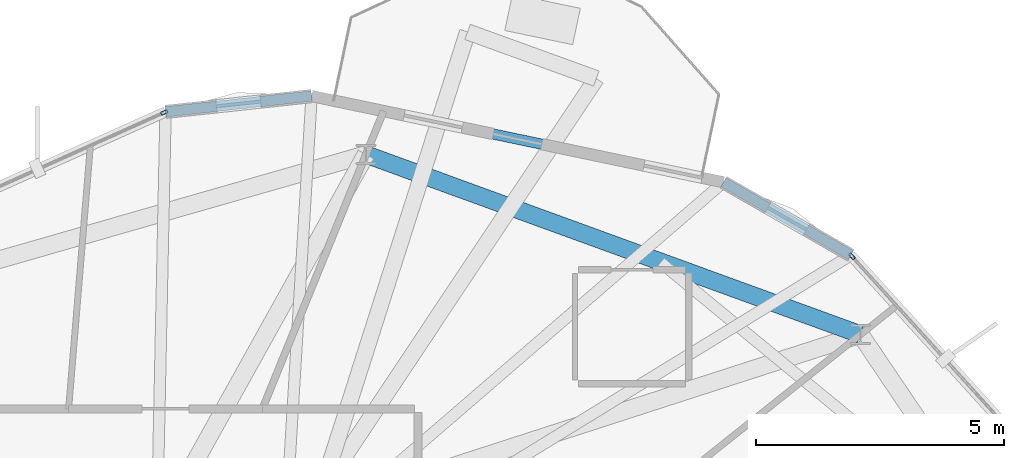
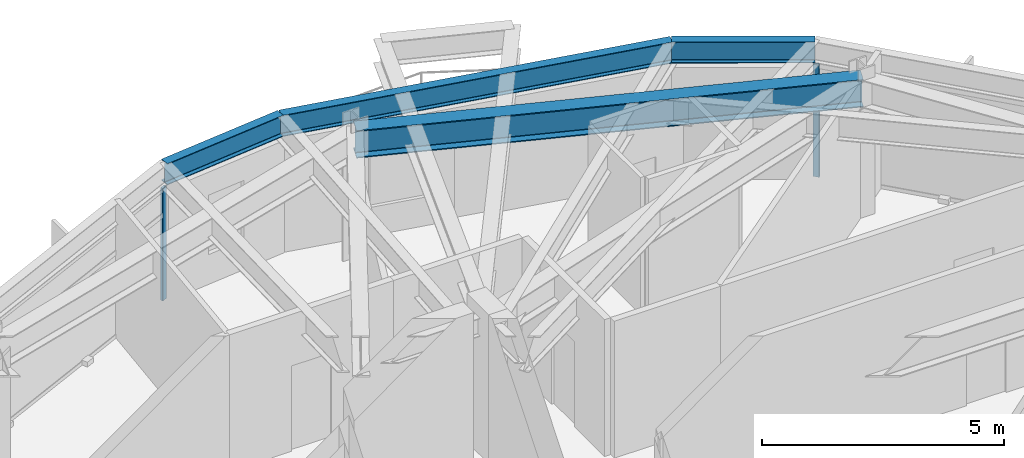
# One storey, part 15 of 23: 4 beams, 2 members, 2 elements without a shape of their own.
"""IFC4 building model written with IfcOpenShell, lengths in metres."""

from ifc_helpers import new_model, si_unit, direction, frame, origin, origin_2d, place, context, subcontext, project, spatial, hollow_rectangle, i_section, extrude, material, layer, layer_set, material_profile, profile_set, type_object, element, aggregate, save


model = new_model("IFC4")

# Units and contexts
model_context = context("Model", 3, precision=1e-05, world=origin(), true_north=direction((0.0, 1.0)))
body_context = subcontext(model_context, "Body", "Model", "MODEL_VIEW")
ifc_project = project(units=[si_unit("LENGTHUNIT", "METRE"), si_unit("AREAUNIT", "SQUARE_METRE"), si_unit("VOLUMEUNIT", "CUBIC_METRE"), si_unit("PLANEANGLEUNIT", "RADIAN"), si_unit("MASSUNIT", "GRAM", prefix="KILO")], contexts=[model_context])

# Site, building, storey
site_placement = place(None, origin())
site = spatial("IfcSite", under=ifc_project, at=site_placement, CompositionType="ELEMENT")
building_placement = place(site_placement, origin())
building = spatial("IfcBuilding", under=site, at=building_placement, Name="Soratama Intermodal Tower", CompositionType="ELEMENT")
storey_placement = place(building_placement, frame((0.0, 0.0, 253.75)))
storey = spatial("IfcBuildingStorey", under=building, at=storey_placement, Name="L64", CompositionType="ELEMENT", Elevation=253.75)

# Beams
ifc_material_1 = material(Name="Structural steel ASTM A992 Grade 50", Category="steel")
ifc_material_profile_1 = material_profile(ifc_material_1, i_section(OverallWidth=0.35498046875, OverallDepth=0.695068359375, WebThickness=0.015380859375, FlangeThickness=0.02490234375, FilletRadius=0.01611328125, at=origin_2d()), Name="W27X146")
ifc_profile_set_1 = profile_set([ifc_material_profile_1], Name="Structural steel ASTM A992 Grade 50")
beam_type_1 = type_object("IfcBeamType", Name="BM-RING-W27X146", PredefinedType="BEAM", material=ifc_profile_set_1)
beam_1_placement = place(storey_placement, frame((55.589111328125, 38.553955078125, 3.1025390625), z_axis=(-0.939684073866, 0.342043624883, 0.0), x_axis=(-0.342043624883, -0.939684073866, 0.0)))
element("IfcBeam", 1, at=beam_1_placement, inside=storey, type_object=beam_type_1, Name="BM-L64-RING-02", PredefinedType="BEAM", context=body_context, shape_type="SweptSolid", body=[
    extrude(i_section(OverallWidth=0.35498046875, OverallDepth=0.695068359375, WebThickness=0.015380859375, FlangeThickness=0.02490234375, FilletRadius=0.01611328125, at=origin_2d()), origin(), (0.0, 0.0, 1.0), 10.630126953125),
])
ifc_material_2 = material(Name="Structural steel ASTM A992 Grade 50", Category="steel")
ifc_material_profile_2 = material_profile(ifc_material_2, i_section(OverallWidth=0.2099609375, OverallDepth=0.537109375, WebThickness=0.010986328125, FlangeThickness=0.017333984375, FilletRadius=0.012939453125, at=origin_2d()), Name="W21X68")
ifc_profile_set_2 = profile_set([ifc_material_profile_2], Name="Structural steel ASTM A992 Grade 50")
beam_type_2 = type_object("IfcBeamType", Name="BM-SPN-W21X68", PredefinedType="SPANDREL", material=ifc_profile_set_2)
beam_2_placement = place(storey_placement, frame((52.822021484375, 41.6298828125, 3.181396484375), z_axis=(-0.978790491304, 0.204863794101, 0.0), x_axis=(-0.204863794101, -0.978790491304, 0.0)))
element("IfcBeam", 2, at=beam_2_placement, inside=storey, type_object=beam_type_2, Name="BS-L64-F01", PredefinedType="SPANDREL", context=body_context, shape_type="SweptSolid", body=[
    extrude(i_section(OverallWidth=0.2099609375, OverallDepth=0.537109375, WebThickness=0.010986328125, FlangeThickness=0.017333984375, FilletRadius=0.012939453125, at=origin_2d()), origin(), (0.0, 0.0, 1.0), 8.499267578125),
])
beam_3_placement = place(storey_placement, frame((44.5029296875, 43.37109375, 3.181396484375), z_axis=(-0.994200629663, -0.107541192003, 0.0), x_axis=(0.107541192003, -0.994200629663, 0.0)))
element("IfcBeam", 3, at=beam_3_placement, inside=storey, type_object=beam_type_2, Name="BS-L64-CRN01", PredefinedType="SPANDREL", context=body_context, shape_type="SweptSolid", body=[
    extrude(i_section(OverallWidth=0.2099609375, OverallDepth=0.537109375, WebThickness=0.010986328125, FlangeThickness=0.017333984375, FilletRadius=0.012939453125, at=origin_2d()), origin(), (0.0, 0.0, 1.0), 2.967041015625),
])
beam_4_placement = place(storey_placement, frame((55.39599609375, 40.155029296875, 3.181396484375), z_axis=(-0.86766013244, 0.497157816567, 0.0), x_axis=(-0.497157816567, -0.86766013244, 0.0)))
element("IfcBeam", 4, at=beam_4_placement, inside=storey, type_object=beam_type_2, Name="BS-L64-CRN10", PredefinedType="SPANDREL", context=body_context, shape_type="SweptSolid", body=[
    extrude(i_section(OverallWidth=0.2099609375, OverallDepth=0.537109375, WebThickness=0.010986328125, FlangeThickness=0.017333984375, FilletRadius=0.012939453125, at=origin_2d()), origin(), (0.0, 0.0, 1.0), 2.966552734375),
])

# Curtain wall, member
ifc_material_3 = material(Name="Double-glazed aluminium curtain wall", Category="aluminium")
ifc_layer = layer(ifc_material_3, 0.159912109375)
ifc_layer_set = layer_set([ifc_layer], Name="Double-glazed aluminium curtain wall")
curtain_wall_type = type_object("IfcCurtainWallType", Name="CW-SYS-5", PredefinedType="NOTDEFINED", material=ifc_layer_set)
curtain_wall_1_placement = place(storey_placement, origin())
curtain_wall_1 = element("IfcCurtainWall", 5, at=curtain_wall_1_placement, inside=storey, type_object=curtain_wall_type, Name="L64 Faceted Curtain Wall F02", PredefinedType="NOTDEFINED")
ifc_material_4 = material(Name="Anodised aluminium AA 6063-T6", Category="aluminium")
ifc_material_profile_3 = material_profile(ifc_material_4, hollow_rectangle(XDim=0.06494140625, YDim=0.139892578125, WallThickness=0.0048828125, InnerFilletRadius=0.0048828125, OuterFilletRadius=0.010009765625, at=origin_2d()), Name="CWM140X65X5")
ifc_profile_set_3 = profile_set([ifc_material_profile_3], Name="Anodised aluminium AA 6063-T6")
member_type = type_object("IfcMemberType", Name="MT-CWM-5", PredefinedType="MULLION", material=ifc_profile_set_3)
member_1_placement = place(storey_placement, frame((41.526123046875, 43.03955078125, 0.0), z_axis=(0.0, 0.0, 1.0), x_axis=(0.409596996905, -0.912266572952, 0.0)))
member_1 = element("IfcMember", 6, at=member_1_placement, type_object=member_type, Name="CW-5 mullion 1", PredefinedType="MULLION", context=body_context, shape_type="SweptSolid", body=[
    extrude(hollow_rectangle(XDim=0.06494140625, YDim=0.139892578125, WallThickness=0.0048828125, InnerFilletRadius=0.0048828125, OuterFilletRadius=0.010009765625, at=origin_2d()), origin(), (0.0, 0.0, 1.0), 2.8291015625),
])
aggregate(curtain_wall_1, [member_1])

curtain_wall_2_placement = place(storey_placement, origin())
curtain_wall_2 = element("IfcCurtainWall", 7, at=curtain_wall_2_placement, inside=storey, type_object=curtain_wall_type, Name="L64 Faceted Curtain Wall F10", PredefinedType="NOTDEFINED")
member_2_placement = place(storey_placement, frame((55.416259765625, 40.1328125, 0.0), z_axis=(0.0, 0.0, 1.0), x_axis=(-0.741039453057, -0.671461487364, 0.0)))
member_2 = element("IfcMember", 8, at=member_2_placement, type_object=member_type, Name="CW-5 mullion 2", PredefinedType="MULLION", context=body_context, shape_type="SweptSolid", body=[
    extrude(hollow_rectangle(XDim=0.06494140625, YDim=0.139892578125, WallThickness=0.0048828125, InnerFilletRadius=0.0048828125, OuterFilletRadius=0.010009765625, at=origin_2d()), origin(), (0.0, 0.0, 1.0), 2.8291015625),
])
aggregate(curtain_wall_2, [member_2])

save(model, "model.ifc")
